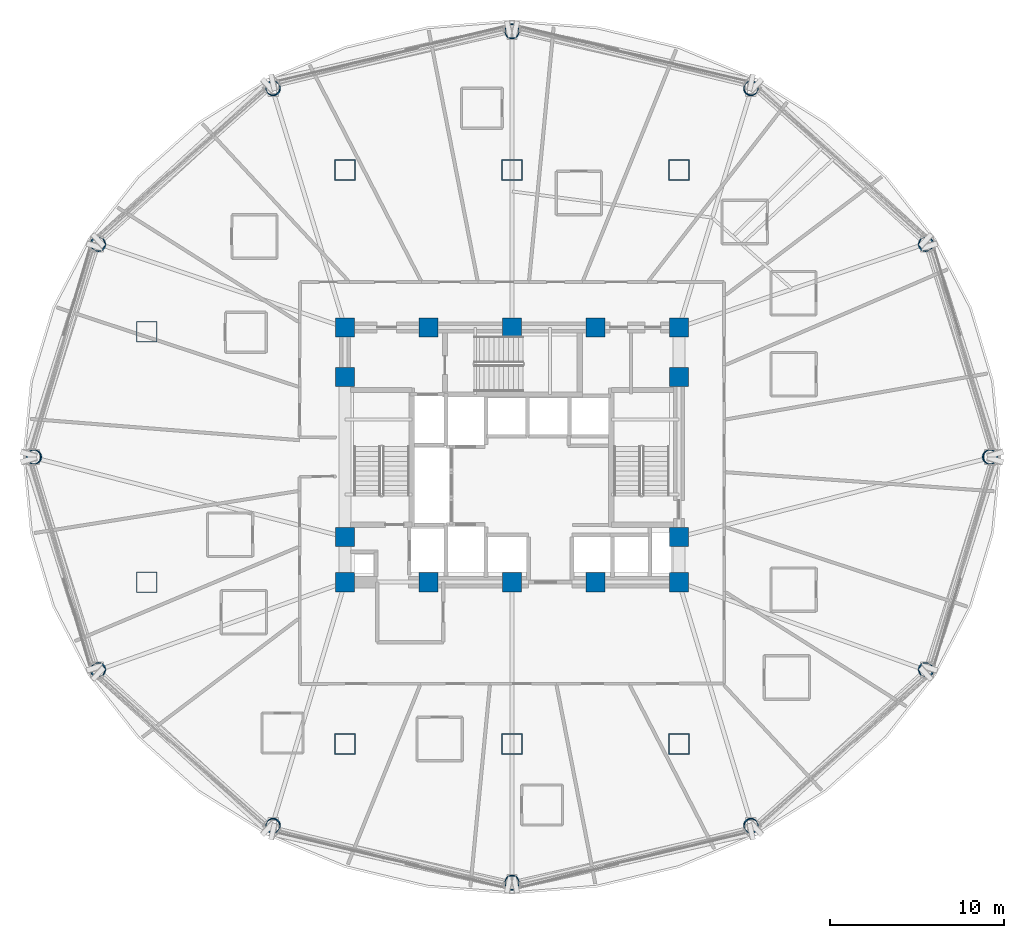
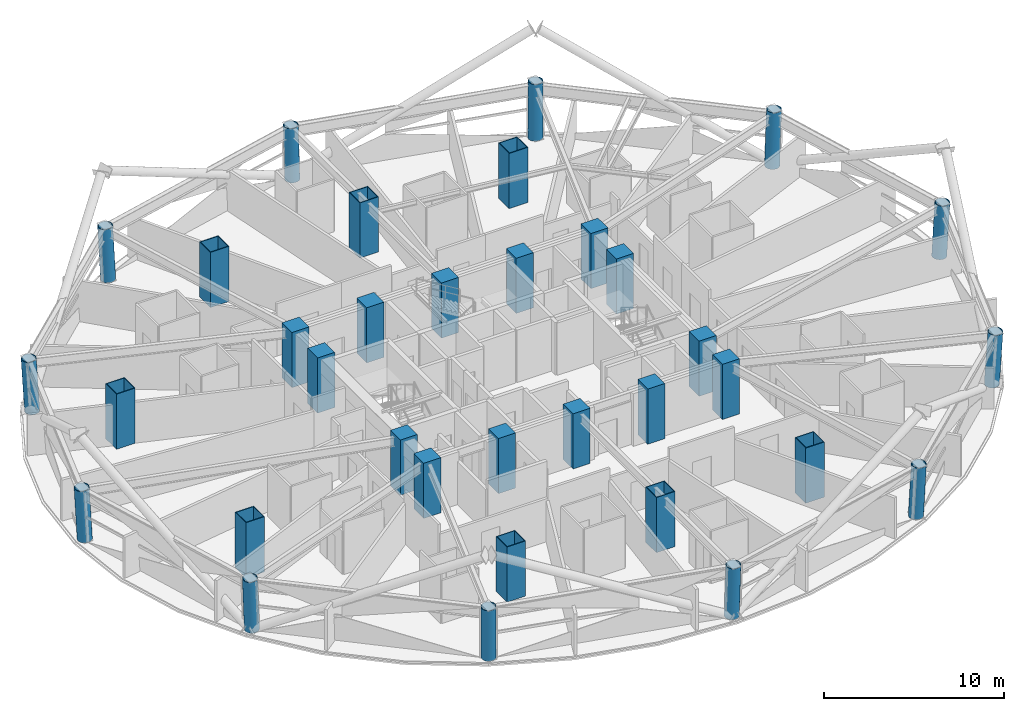
# One storey, part 1 of 16: 34 columns.
"""IFC4 building model written with IfcOpenShell, lengths in metres."""

from ifc_helpers import new_model, si_unit, direction, frame, origin, origin_2d, place, context, subcontext, project, spatial, rectangle, hollow_rectangle, hollow_circle, extrude, material, material_profile, profile_set, type_object, element, save


model = new_model("IFC4")

# Units and contexts
model_context = context("Model", 3, precision=1e-05, world=origin(), true_north=direction((0.0, 1.0)))
body_context = subcontext(model_context, "Body", "Model", "MODEL_VIEW")
ifc_project = project(units=[si_unit("LENGTHUNIT", "METRE"), si_unit("AREAUNIT", "SQUARE_METRE"), si_unit("VOLUMEUNIT", "CUBIC_METRE"), si_unit("PLANEANGLEUNIT", "RADIAN"), si_unit("MASSUNIT", "GRAM", prefix="KILO")], contexts=[model_context])

# Site, building, storey
site_placement = place(None, origin())
site = spatial("IfcSite", under=ifc_project, at=site_placement, CompositionType="ELEMENT")
building_placement = place(site_placement, origin())
building = spatial("IfcBuilding", under=site, at=building_placement, Name="Vantalir Tower", CompositionType="ELEMENT")
storey_placement = place(building_placement, frame((0.0, 0.0, 64.5)))
storey = spatial("IfcBuildingStorey", under=building, at=storey_placement, Name="L15", CompositionType="ELEMENT", Elevation=64.5)

# Columns
ifc_material_1 = material(Name="Concrete C60/75", Category="concrete")
ifc_material_profile_1 = material_profile(ifc_material_1, rectangle(XDim=1.10009765625, YDim=1.10009765625, at=origin_2d()), Name="Concrete C60/75")
ifc_profile_set_1 = profile_set([ifc_material_profile_1], Name="Concrete C60/75")
column_type_1 = type_object("IfcColumnType", Name="COL-CC-1100", PredefinedType="COLUMN", material=ifc_profile_set_1)
for number, where, z_axis, x_axis, name in (
    (1, (21.89990234375, 17.800048828125, 0.0), (0.0, 0.0, 1.0), (1.0, 0.0, 0.0), "L15 Core Column CC01"),
    (2, (26.699951171875, 17.800048828125, 0.0), (0.0, 0.0, 1.0), (1.0, 0.0, 0.0), "L15 Core Column CC02"),
    (3, (31.5, 17.800048828125, 0.0), (0.0, 0.0, 1.0), (1.0, 0.0, 0.0), "L15 Core Column CC03"),
    (4, (36.300048828125, 17.800048828125, 0.0), (0.0, 0.0, 1.0), (1.0, 0.0, 0.0), "L15 Core Column CC04"),
    (5, (41.10009765625, 17.800048828125, 0.0), (0.0, 0.0, 1.0), (1.0, 0.0, 0.0), "L15 Core Column CC05"),
    (6, (21.89990234375, 20.39990234375, 0.0), (0.0, 0.0, 1.0), (1.0, 0.0, 0.0), "L15 Core Column CC06"),
    (7, (21.89990234375, 29.60009765625, 0.0), (0.0, 0.0, 1.0), (1.0, 0.0, 0.0), "L15 Core Column CC07"),
    (8, (41.10009765625, 20.39990234375, 0.0), (0.0, 0.0, 1.0), (1.0, 0.0, 0.0), "L15 Core Column CC08"),
    (9, (41.10009765625, 29.60009765625, 0.0), (0.0, 0.0, 1.0), (1.0, 0.0, 0.0), "L15 Core Column CC09"),
    (10, (21.89990234375, 32.449951171875, 0.0), (0.0, 0.0, 1.0), (1.0, 0.0, 0.0), "L15 Core Column CC10"),
    (11, (26.699951171875, 32.449951171875, 0.0), (0.0, 0.0, 1.0), (1.0, 0.0, 0.0), "L15 Core Column CC11"),
    (12, (31.5, 32.449951171875, 0.0), (0.0, 0.0, 1.0), (1.0, 0.0, 0.0), "L15 Core Column CC12"),
    (13, (36.300048828125, 32.449951171875, 0.0), (0.0, 0.0, 1.0), (1.0, 0.0, 0.0), "L15 Core Column CC13"),
    (14, (41.10009765625, 32.449951171875, 0.0), (0.0, 0.0, 1.0), (1.0, 0.0, 0.0), "L15 Core Column CC14"),
):
    element("IfcColumn", number, at=place(storey_placement, frame(where, z_axis=z_axis, x_axis=x_axis)), inside=storey, type_object=column_type_1, Name=name, PredefinedType="COLUMN", context=body_context, shape_type="SweptSolid", body=[
        extrude(rectangle(XDim=1.10009765625, YDim=1.10009765625, at=origin_2d()), origin(), (0.0, 0.0, 1.0), 3.75),
    ])
ifc_material_2 = material(Name="Steel S460", Category="steel")
ifc_material_profile_2 = material_profile(ifc_material_2, hollow_rectangle(XDim=1.199951171875, YDim=1.199951171875, WallThickness=0.044921875, at=origin_2d()), Name="Steel S460")
ifc_profile_set_2 = profile_set([ifc_material_profile_2], Name="Steel S460")
column_type_2 = type_object("IfcColumnType", Name="COL-MC-1200", PredefinedType="COLUMN", material=ifc_profile_set_2)
for number, where, z_axis, x_axis, name in (
    (15, (21.89990234375, 8.5, 0.0), (0.0, 0.0, 1.0), (1.0, 0.0, 0.0), "L15 S460 Mega-Column MC01"),
    (16, (31.5, 8.5, 0.0), (0.0, 0.0, 1.0), (1.0, 0.0, 0.0), "L15 S460 Mega-Column MC02"),
    (17, (41.10009765625, 8.5, 0.0), (0.0, 0.0, 1.0), (1.0, 0.0, 0.0), "L15 S460 Mega-Column MC03"),
    (18, (10.5, 17.800048828125, 0.0), (0.0, 0.0, 1.0), (1.0, 0.0, 0.0), "L15 S460 Mega-Column MC04"),
    (19, (10.5, 32.199951171875, 0.0), (0.0, 0.0, 1.0), (1.0, 0.0, 0.0), "L15 S460 Mega-Column MC05"),
    (20, (21.89990234375, 41.5, 0.0), (0.0, 0.0, 1.0), (1.0, 0.0, 0.0), "L15 S460 Mega-Column MC06"),
    (21, (31.5, 41.5, 0.0), (0.0, 0.0, 1.0), (1.0, 0.0, 0.0), "L15 S460 Mega-Column MC07"),
    (22, (41.10009765625, 41.5, 0.0), (0.0, 0.0, 1.0), (1.0, 0.0, 0.0), "L15 S460 Mega-Column MC08"),
):
    element("IfcColumn", number, at=place(storey_placement, frame(where, z_axis=z_axis, x_axis=x_axis)), inside=storey, type_object=column_type_2, Name=name, PredefinedType="COLUMN", context=body_context, shape_type="SweptSolid", body=[
        extrude(hollow_rectangle(XDim=1.199951171875, YDim=1.199951171875, WallThickness=0.044921875, at=origin_2d()), origin(), (0.0, 0.0, 1.0), 3.75),
    ])
ifc_material_profile_3 = material_profile(ifc_material_2, hollow_circle(Radius=0.425048828125, WallThickness=0.0400390625, at=origin_2d()), Name="Steel S460")
ifc_profile_set_3 = profile_set([ifc_material_profile_3], Name="Steel S460")
column_type_3 = type_object("IfcColumnType", Name="COL-RC-850", PredefinedType="COLUMN", material=ifc_profile_set_3)
column_1_placement = place(storey_placement, frame((58.950927734375, 25.0, 0.0), z_axis=(0.055647755416, 0.0, 0.998450463126), x_axis=(0.0, 1.0, 0.0)))
element("IfcColumn", 23, at=column_1_placement, inside=storey, type_object=column_type_3, Name="L15 Perimeter Ring Column RC01", PredefinedType="COLUMN", context=body_context, shape_type="SweptSolid", body=[
    extrude(hollow_circle(Radius=0.425048828125, WallThickness=0.0400390625, at=origin_2d()), origin(), (0.0, 0.0, 1.0), 3.57568359375),
])
column_2_placement = place(storey_placement, frame((55.27294921875, 37.22509765625, 0.0), z_axis=(0.046416301988, 0.02383009016, 0.998637899197), x_axis=(-0.456724176891, 0.889608355538, 0.0)))
element("IfcColumn", 24, at=column_2_placement, inside=storey, type_object=column_type_3, Name="L15 Perimeter Ring Column RC02", PredefinedType="COLUMN", context=body_context, shape_type="SweptSolid", body=[
    extrude(hollow_circle(Radius=0.425048828125, WallThickness=0.0400390625, at=origin_2d()), origin(), (0.0, 0.0, 1.0), 3.729248046875),
])
column_3_placement = place(storey_placement, frame((45.22607421875, 46.175048828125, 0.0), z_axis=(0.026518396958, 0.041316317236, 0.998794141229), x_axis=(-0.841568257174, 0.540150783131, 0.0)))
element("IfcColumn", 25, at=column_3_placement, inside=storey, type_object=column_type_3, Name="L15 Perimeter Ring Column RC03", PredefinedType="COLUMN", context=body_context, shape_type="SweptSolid", body=[
    extrude(hollow_circle(Radius=0.425048828125, WallThickness=0.0400390625, at=origin_2d()), origin(), (0.0, 0.0, 1.0), 3.728515625),
])
column_4_placement = place(storey_placement, frame((31.5, 49.450927734375, 0.0), z_axis=(0.0, 0.04979113632, 0.998759652141), x_axis=(-1.0, 0.0, 0.0)))
element("IfcColumn", 26, at=column_4_placement, inside=storey, type_object=column_type_3, Name="L15 Perimeter Ring Column RC04", PredefinedType="COLUMN", context=body_context, shape_type="SweptSolid", body=[
    extrude(hollow_circle(Radius=0.425048828125, WallThickness=0.0400390625, at=origin_2d()), origin(), (0.0, 0.0, 1.0), 3.574462890625),
])
column_5_placement = place(storey_placement, frame((17.77490234375, 46.175048828125, 0.0), z_axis=(-0.027932729625, 0.043094260131, 0.998680453078), x_axis=(-0.839141746313, -0.543912795946, 0.0)))
element("IfcColumn", 27, at=column_5_placement, inside=storey, type_object=column_type_3, Name="L15 Perimeter Ring Column RC05", PredefinedType="COLUMN", context=body_context, shape_type="SweptSolid", body=[
    extrude(hollow_circle(Radius=0.425048828125, WallThickness=0.0400390625, at=origin_2d()), origin(), (0.0, 0.0, 1.0), 3.57470703125),
])
column_6_placement = place(storey_placement, frame((7.72705078125, 37.22509765625, 0.0), z_axis=(-0.048413411524, 0.024855404506, 0.998518077178), x_axis=(-0.456724176891, -0.889608355538, 0.0)))
element("IfcColumn", 28, at=column_6_placement, inside=storey, type_object=column_type_3, Name="L15 Perimeter Ring Column RC06", PredefinedType="COLUMN", context=body_context, shape_type="SweptSolid", body=[
    extrude(hollow_circle(Radius=0.425048828125, WallThickness=0.0400390625, at=origin_2d()), origin(), (0.0, 0.0, 1.0), 3.575439453125),
])
column_7_placement = place(storey_placement, frame((4.049072265625, 25.0, 0.0), z_axis=(-0.055647755416, 0.0, 0.998450463126), x_axis=(0.0, -1.0, 0.0)))
element("IfcColumn", 29, at=column_7_placement, inside=storey, type_object=column_type_3, Name="L15 Perimeter Ring Column RC07", PredefinedType="COLUMN", context=body_context, shape_type="SweptSolid", body=[
    extrude(hollow_circle(Radius=0.425048828125, WallThickness=0.0400390625, at=origin_2d()), origin(), (0.0, 0.0, 1.0), 3.57568359375),
])
column_8_placement = place(storey_placement, frame((7.72705078125, 12.77392578125, 0.0), z_axis=(-0.048413411524, -0.024855404506, 0.998518077178), x_axis=(0.456724176891, -0.889608355538, 0.0)))
element("IfcColumn", 30, at=column_8_placement, inside=storey, type_object=column_type_3, Name="L15 Perimeter Ring Column RC08", PredefinedType="COLUMN", context=body_context, shape_type="SweptSolid", body=[
    extrude(hollow_circle(Radius=0.425048828125, WallThickness=0.0400390625, at=origin_2d()), origin(), (0.0, 0.0, 1.0), 3.575439453125),
])
column_9_placement = place(storey_placement, frame((17.77392578125, 3.824951171875, 0.0), z_axis=(-0.027659758927, -0.043094587365, 0.998688036514), x_axis=(0.841568257174, -0.540150783131, 0.0)))
element("IfcColumn", 31, at=column_9_placement, inside=storey, type_object=column_type_3, Name="L15 Perimeter Ring Column RC09", PredefinedType="COLUMN", context=body_context, shape_type="SweptSolid", body=[
    extrude(hollow_circle(Radius=0.425048828125, WallThickness=0.0400390625, at=origin_2d()), origin(), (0.0, 0.0, 1.0), 3.57470703125),
])
column_10_placement = place(storey_placement, frame((31.5, 0.549072265625, 0.0), z_axis=(0.0, -0.04979113632, 0.998759652141), x_axis=(1.0, 0.0, 0.0)))
element("IfcColumn", 32, at=column_10_placement, inside=storey, type_object=column_type_3, Name="L15 Perimeter Ring Column RC10", PredefinedType="COLUMN", context=body_context, shape_type="SweptSolid", body=[
    extrude(hollow_circle(Radius=0.425048828125, WallThickness=0.0400390625, at=origin_2d()), origin(), (0.0, 0.0, 1.0), 3.574462890625),
])
column_11_placement = place(storey_placement, frame((45.22607421875, 3.824951171875, 0.0), z_axis=(0.027659758927, -0.043094587365, 0.998688036514), x_axis=(0.841568257174, 0.540150783131, 0.0)))
element("IfcColumn", 33, at=column_11_placement, inside=storey, type_object=column_type_3, Name="L15 Perimeter Ring Column RC11", PredefinedType="COLUMN", context=body_context, shape_type="SweptSolid", body=[
    extrude(hollow_circle(Radius=0.425048828125, WallThickness=0.0400390625, at=origin_2d()), origin(), (0.0, 0.0, 1.0), 3.57470703125),
])
column_12_placement = place(storey_placement, frame((55.27294921875, 12.77392578125, 0.0), z_axis=(0.048413411524, -0.024855404506, 0.998518077178), x_axis=(0.456724176891, 0.889608355538, 0.0)))
element("IfcColumn", 34, at=column_12_placement, inside=storey, type_object=column_type_3, Name="L15 Perimeter Ring Column RC12", PredefinedType="COLUMN", context=body_context, shape_type="SweptSolid", body=[
    extrude(hollow_circle(Radius=0.425048828125, WallThickness=0.0400390625, at=origin_2d()), origin(), (0.0, 0.0, 1.0), 3.575439453125),
])

save(model, "model.ifc")
